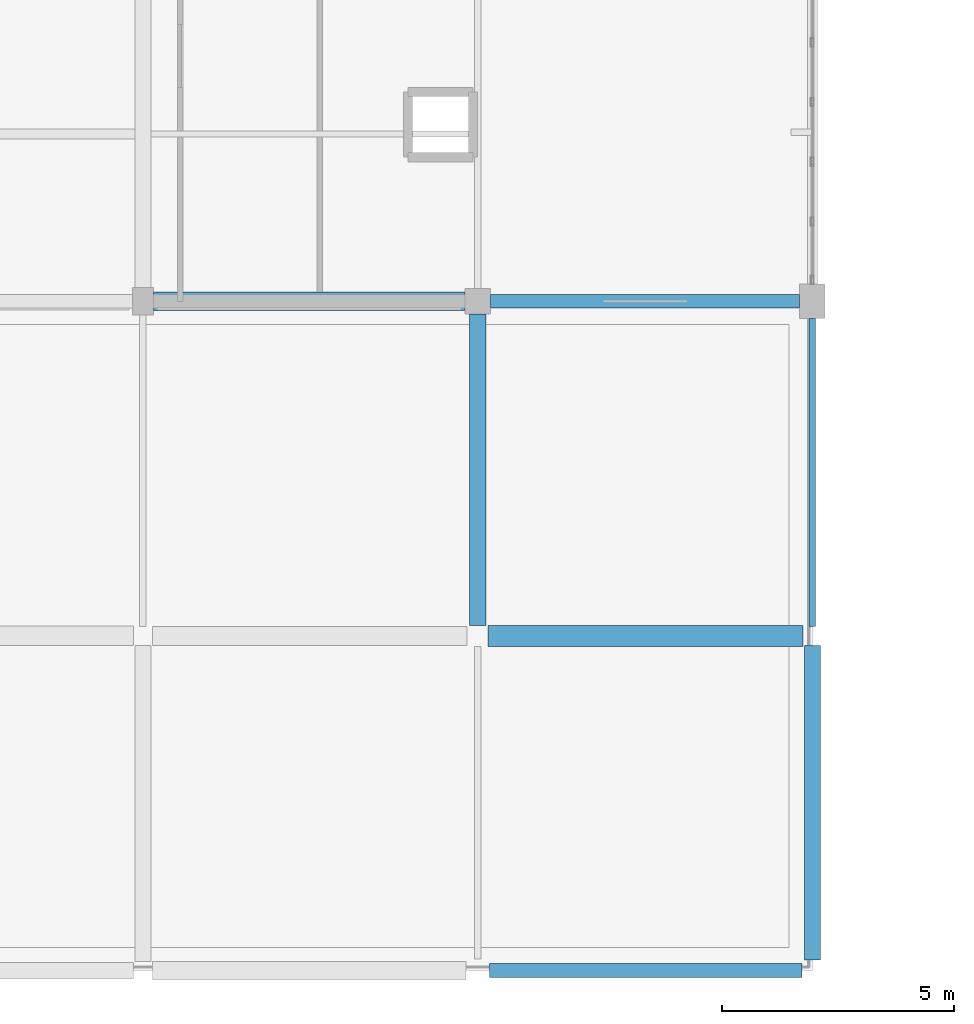
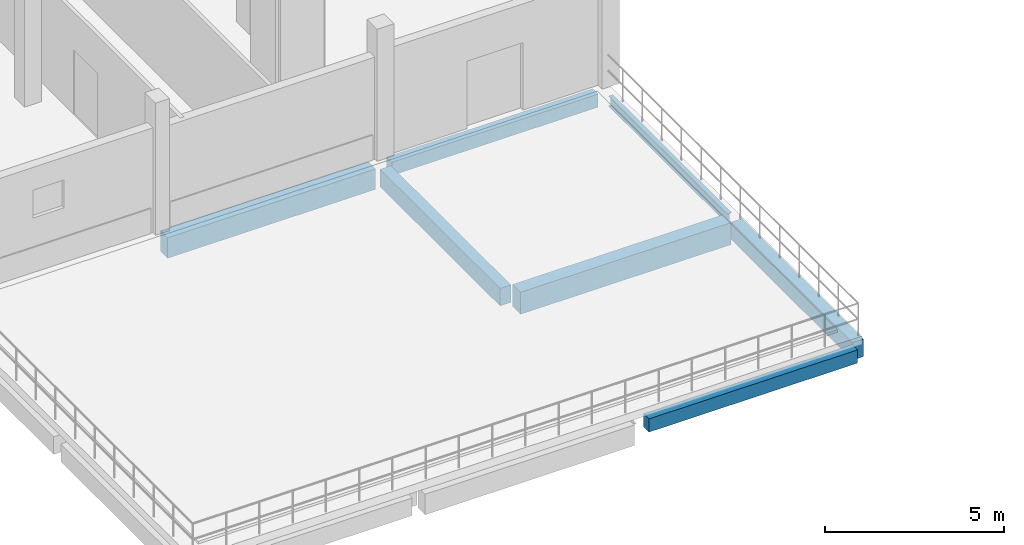
# One storey, part 4 of 57: 7 beams.
"""IFC4 building model written with IfcOpenShell, lengths in metres."""

from ifc_helpers import new_model, si_unit, direction, frame, origin, origin_2d, place, context, subcontext, project, spatial, rectangle, i_section, extrude, material, material_profile, profile_set, type_object, element, save


model = new_model("IFC4")

# Units and contexts
model_context = context("Model", 3, precision=1e-05, world=origin(), true_north=direction((0.0, 1.0)))
body_context = subcontext(model_context, "Body", "Model", "MODEL_VIEW")
ifc_project = project(units=[si_unit("LENGTHUNIT", "METRE"), si_unit("AREAUNIT", "SQUARE_METRE"), si_unit("VOLUMEUNIT", "CUBIC_METRE"), si_unit("PLANEANGLEUNIT", "RADIAN"), si_unit("MASSUNIT", "GRAM", prefix="KILO")], contexts=[model_context])

# Site, building, storey
site_placement = place(None, origin())
site = spatial("IfcSite", under=ifc_project, at=site_placement, CompositionType="ELEMENT")
building_placement = place(site_placement, origin())
building = spatial("IfcBuilding", under=site, at=building_placement, Name="Kalluvel Institute of Natural Sciences", CompositionType="ELEMENT")
storey_placement = place(building_placement, frame((0.0, 0.0, 23.39990234375)))
storey = spatial("IfcBuildingStorey", under=building, at=storey_placement, Name="L05", CompositionType="ELEMENT", Elevation=23.39990234375)

# Beams
ifc_material_1 = material(Name="Steel E350 Grade 350", Category="steel")
ifc_material_profile_1 = material_profile(ifc_material_1, i_section(OverallWidth=0.139892578125, OverallDepth=0.35009765625, WebThickness=0.008056640625, FlangeThickness=0.01416015625, FilletRadius=0.013916015625, at=origin_2d()), Name="ISMB 350")
ifc_profile_set_1 = profile_set([ifc_material_profile_1], Name="Steel E350 Grade 350")
beam_type_1 = type_object("IfcBeamType", Name="BM-ISMB350", PredefinedType="BEAM", material=ifc_profile_set_1)
beam_1_placement = place(storey_placement, frame((35.60009765625, 21.39990234375, -0.474853515625), z_axis=(0.0, 1.0, 0.0), x_axis=(-1.0, 0.0, 0.0)))
element("IfcBeam", 1, at=beam_1_placement, inside=storey, type_object=beam_type_1, Name="L05 girder GIR-L05-NS-X356-Y212", PredefinedType="BEAM", context=body_context, shape_type="SweptSolid", body=[
    extrude(i_section(OverallWidth=0.139892578125, OverallDepth=0.35009765625, WebThickness=0.008056640625, FlangeThickness=0.01416015625, FilletRadius=0.013916015625, at=origin_2d()), origin(), (0.0, 0.0, 1.0), 6.625),
])
ifc_material_2 = material(Name="Concrete M40", Category="concrete")
ifc_material_profile_2 = material_profile(ifc_material_2, rectangle(XDim=0.35009765625, YDim=0.60009765625, at=origin_2d()), Name="RCB 350x600")
ifc_profile_set_2 = profile_set([ifc_material_profile_2], Name="Concrete M40")
beam_type_2 = type_object("IfcBeamType", Name="BM-RC350x600", PredefinedType="BEAM", material=ifc_profile_set_2)
beam_2_placement = place(storey_placement, frame((28.39990234375, 21.425048828125, -0.599853515625), z_axis=(0.0, 1.0, 0.0), x_axis=(-1.0, 0.0, 0.0)))
element("IfcBeam", 2, at=beam_2_placement, inside=storey, type_object=beam_type_2, Name="L05 girder GIR-L05-NS-X284-Y212", PredefinedType="BEAM", context=body_context, shape_type="SweptSolid", body=[
    extrude(rectangle(XDim=0.35009765625, YDim=0.60009765625, at=origin_2d()), origin(), (0.0, 0.0, 1.0), 6.699951171875),
])
beam_3_placement = place(storey_placement, frame((35.60009765625, 14.22509765625, -0.599853515625), z_axis=(0.0, 1.0, 0.0), x_axis=(-1.0, 0.0, 0.0)))
element("IfcBeam", 3, at=beam_3_placement, inside=storey, type_object=beam_type_2, Name="L05 girder GIR-L05-NS-X356-Y140", PredefinedType="BEAM", context=body_context, shape_type="SweptSolid", body=[
    extrude(rectangle(XDim=0.35009765625, YDim=0.60009765625, at=origin_2d()), origin(), (0.0, 0.0, 1.0), 6.77490234375),
])
ifc_material_profile_3 = material_profile(ifc_material_2, rectangle(XDim=0.449951171875, YDim=0.75, at=origin_2d()), Name="RCB 450x750")
ifc_profile_set_3 = profile_set([ifc_material_profile_3], Name="Concrete M40")
beam_type_3 = type_object("IfcBeamType", Name="BM-RC450x750", PredefinedType="BEAM", material=ifc_profile_set_3)
beam_4_placement = place(storey_placement, frame((28.625, 21.199951171875, -0.6748046875), z_axis=(1.0, 0.0, 0.0), x_axis=(0.0, 1.0, 0.0)))
element("IfcBeam", 4, at=beam_4_placement, inside=storey, type_object=beam_type_3, Name="L05 girder GIR-L05-EW-X284-Y212", PredefinedType="BEAM", context=body_context, shape_type="SweptSolid", body=[
    extrude(rectangle(XDim=0.449951171875, YDim=0.75, at=origin_2d()), origin(), (0.0, 0.0, 1.0), 6.77490234375),
])
ifc_material_profile_4 = material_profile(ifc_material_2, rectangle(XDim=0.300048828125, YDim=0.449951171875, at=origin_2d()), Name="RCB 300x450")
ifc_profile_set_4 = profile_set([ifc_material_profile_4], Name="Concrete M40")
beam_type_4 = type_object("IfcBeamType", Name="SP-RC300x450", PredefinedType="SPANDREL", material=ifc_profile_set_4)
beam_5_placement = place(storey_placement, frame((28.64990234375, 14.0, -0.52490234375), z_axis=(1.0, 0.0, 0.0), x_axis=(0.0, 1.0, 0.0)))
element("IfcBeam", 5, at=beam_5_placement, inside=storey, type_object=beam_type_4, Name="L05 girder GIR-L05-EW-X284-Y140", PredefinedType="SPANDREL", context=body_context, shape_type="SweptSolid", body=[
    extrude(rectangle(XDim=0.300048828125, YDim=0.449951171875, at=origin_2d()), origin(), (0.0, 0.0, 1.0), 6.72509765625),
])
beam_6_placement = place(storey_placement, frame((28.675048828125, 28.39990234375, -0.52490234375), z_axis=(1.0, 0.0, 0.0), x_axis=(0.0, 1.0, 0.0)))
element("IfcBeam", 6, at=beam_6_placement, inside=storey, type_object=beam_type_4, Name="L05 girder GIR-L05-EW-X284-Y284", PredefinedType="SPANDREL", context=body_context, shape_type="SweptSolid", body=[
    extrude(rectangle(XDim=0.300048828125, YDim=0.449951171875, at=origin_2d()), origin(), (0.0, 0.0, 1.0), 6.64990234375),
])
ifc_material_profile_5 = material_profile(ifc_material_2, rectangle(XDim=0.39990234375, YDim=0.699951171875, at=origin_2d()), Name="RCB 400x700")
ifc_profile_set_5 = profile_set([ifc_material_profile_5], Name="Concrete M40")
beam_type_5 = type_object("IfcBeamType", Name="SP-RC400x700", PredefinedType="SPANDREL", material=ifc_profile_set_5)
beam_7_placement = place(storey_placement, frame((21.425048828125, 28.39990234375, -0.64990234375), z_axis=(1.0, 0.0, 0.0), x_axis=(0.0, 1.0, 0.0)))
element("IfcBeam", 7, at=beam_7_placement, inside=storey, type_object=beam_type_5, Name="L05 girder GIR-L05-EW-X212-Y284", PredefinedType="SPANDREL", context=body_context, shape_type="SweptSolid", body=[
    extrude(rectangle(XDim=0.39990234375, YDim=0.699951171875, at=origin_2d()), origin(), (0.0, 0.0, 1.0), 6.699951171875),
])

save(model, "model.ifc")
